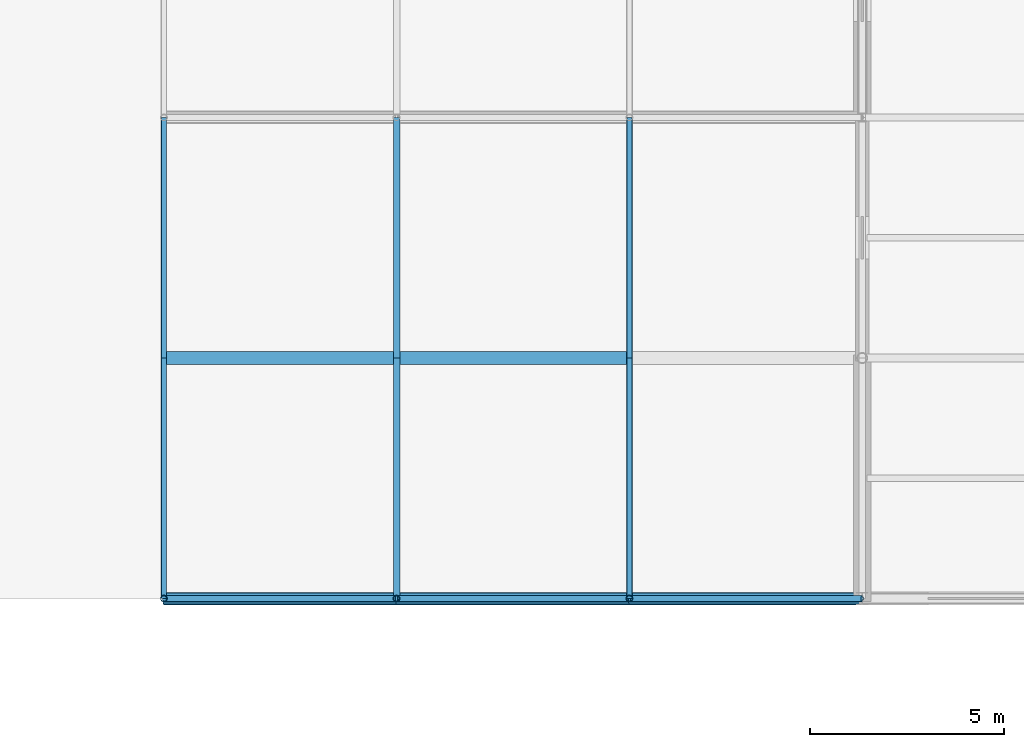
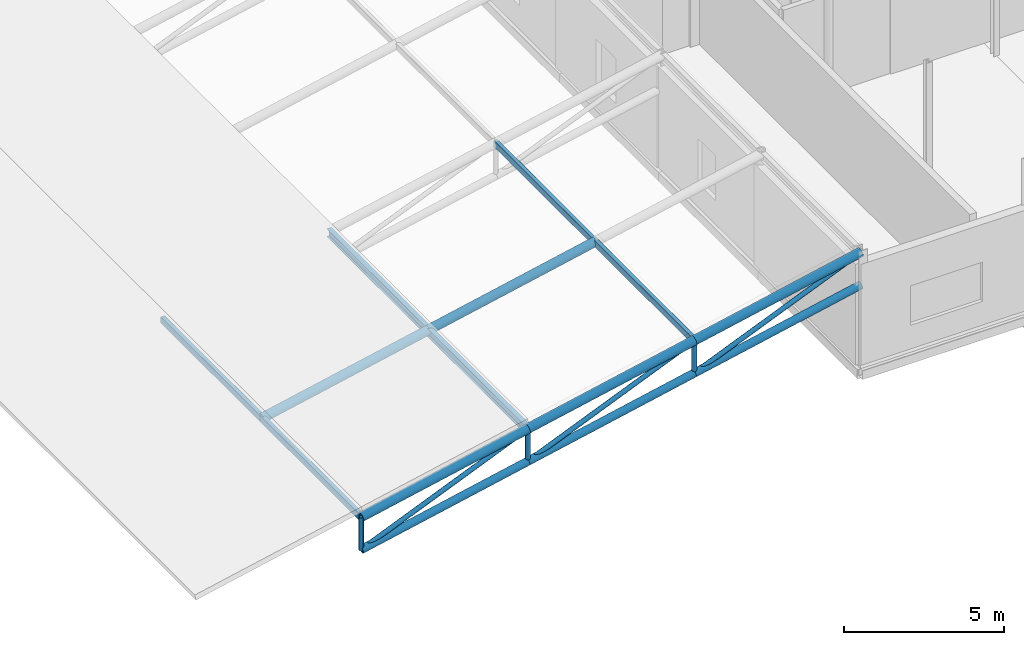
# One storey, part 17 of 66: 20 members.
"""IFC4 building model written with IfcOpenShell, lengths in metres."""

from ifc_helpers import new_model, si_unit, direction, frame, origin, origin_2d, place, context, subcontext, project, spatial, hollow_rectangle, hollow_circle, i_section, extrude, material, material_profile, profile_set, type_object, element, save


model = new_model("IFC4")

# Units and contexts
model_context = context("Model", 3, precision=1e-05, world=origin(), true_north=direction((0.0, 1.0)))
body_context = subcontext(model_context, "Body", "Model", "MODEL_VIEW")
ifc_project = project(units=[si_unit("LENGTHUNIT", "METRE"), si_unit("AREAUNIT", "SQUARE_METRE"), si_unit("VOLUMEUNIT", "CUBIC_METRE"), si_unit("PLANEANGLEUNIT", "RADIAN"), si_unit("MASSUNIT", "GRAM", prefix="KILO")], contexts=[model_context])

# Site, building, storey
site_placement = place(None, origin())
site = spatial("IfcSite", under=ifc_project, at=site_placement, CompositionType="ELEMENT")
building_placement = place(site_placement, origin())
building = spatial("IfcBuilding", under=site, at=building_placement, Name="Mirzam Square Science Centre", CompositionType="ELEMENT")
storey_placement = place(building_placement, frame((0.0, 0.0, 15.60009765625)))
storey = spatial("IfcBuildingStorey", under=building, at=storey_placement, Name="L03", CompositionType="ELEMENT", Elevation=15.60009765625)

# Members
ifc_material = material(Name="Steel S355", Category="steel")
ifc_material_profile_1 = material_profile(ifc_material, hollow_circle(Radius=0.084228515625, WallThickness=0.008056640625, at=origin_2d()), Name="168.3x8.0CHS")
ifc_profile_set_1 = profile_set([ifc_material_profile_1], Name="Steel S355")
member_type_1 = type_object("IfcMemberType", Name="BR-CHS168", PredefinedType="BRACE", material=ifc_profile_set_1)
member_1_placement = place(storey_placement, frame((18.0, 37.199951171875, -0.845703125), z_axis=(0.922529582988, 0.0, 0.385926377063), x_axis=(0.0, 1.0, 0.0)))
element("IfcMember", 1, at=member_1_placement, inside=storey, type_object=member_type_1, Name="Wedge truss web diagonal Y7 bay 4", PredefinedType="BRACE", context=body_context, shape_type="SweptSolid", body=[
    extrude(hollow_circle(Radius=0.084228515625, WallThickness=0.008056640625, at=origin_2d()), origin(), (0.0, 0.0, 1.0), 6.50390625),
])
member_2_placement = place(storey_placement, frame((18.0, 37.199951171875, -0.845703125), z_axis=(0.0, 0.0, 1.0), x_axis=(1.0, 0.0, 0.0)))
element("IfcMember", 2, at=member_2_placement, inside=storey, type_object=member_type_1, Name="Wedge truss post Y7 bay 4", PredefinedType="BRACE", context=body_context, shape_type="SweptSolid", body=[
    extrude(hollow_circle(Radius=0.084228515625, WallThickness=0.008056640625, at=origin_2d()), origin(), (0.0, 0.0, 1.0), 1.25),
])
member_3_placement = place(storey_placement, frame((24.0, 37.199951171875, 0.414306640625), z_axis=(0.922529582988, 0.0, 0.385926377063), x_axis=(0.0, 1.0, 0.0)))
element("IfcMember", 3, at=member_3_placement, inside=storey, type_object=member_type_1, Name="Wedge truss web diagonal Y7 bay 5", PredefinedType="BRACE", context=body_context, shape_type="SweptSolid", body=[
    extrude(hollow_circle(Radius=0.084228515625, WallThickness=0.008056640625, at=origin_2d()), origin(), (0.0, 0.0, 1.0), 6.50390625),
])
member_4_placement = place(storey_placement, frame((24.0, 37.199951171875, 0.414306640625), z_axis=(0.0, 0.0, 1.0), x_axis=(1.0, 0.0, 0.0)))
element("IfcMember", 4, at=member_4_placement, inside=storey, type_object=member_type_1, Name="Wedge truss post Y7 bay 5", PredefinedType="BRACE", context=body_context, shape_type="SweptSolid", body=[
    extrude(hollow_circle(Radius=0.084228515625, WallThickness=0.008056640625, at=origin_2d()), origin(), (0.0, 0.0, 1.0), 1.25),
])
member_5_placement = place(storey_placement, frame((30.0, 37.199951171875, 1.67431640625), z_axis=(0.922529582988, 0.0, 0.385926377063), x_axis=(0.0, 1.0, 0.0)))
element("IfcMember", 5, at=member_5_placement, inside=storey, type_object=member_type_1, Name="Wedge truss web diagonal Y7 bay 6", PredefinedType="BRACE", context=body_context, shape_type="SweptSolid", body=[
    extrude(hollow_circle(Radius=0.084228515625, WallThickness=0.008056640625, at=origin_2d()), origin(), (0.0, 0.0, 1.0), 6.50390625),
])
member_6_placement = place(storey_placement, frame((30.0, 37.199951171875, 1.67431640625), z_axis=(0.0, 0.0, 1.0), x_axis=(1.0, 0.0, 0.0)))
element("IfcMember", 6, at=member_6_placement, inside=storey, type_object=member_type_1, Name="Wedge truss post Y7 bay 6", PredefinedType="BRACE", context=body_context, shape_type="SweptSolid", body=[
    extrude(hollow_circle(Radius=0.084228515625, WallThickness=0.008056640625, at=origin_2d()), origin(), (0.0, 0.0, 1.0), 1.25),
])
ifc_material_profile_2 = material_profile(ifc_material, hollow_circle(Radius=0.136474609375, WallThickness=0.010009765625, at=origin_2d()), Name="273.0x10.0CHS")
ifc_profile_set_2 = profile_set([ifc_material_profile_2], Name="Steel S355")
member_type_2 = type_object("IfcMemberType", Name="CH-CHS273", PredefinedType="CHORD", material=ifc_profile_set_2)
for number, where, z_axis, x_axis, name in (
    (7, (18.0, 37.199951171875, -0.845703125), (0.978653176229, 0.0, 0.205518759868), (0.0, 1.0, 0.0), "Wedge truss bottom chord Y7 bay 4"),
    (8, (24.0, 37.199951171875, 0.414306640625), (0.978653176229, 0.0, 0.205518759868), (0.0, 1.0, 0.0), "Wedge truss bottom chord Y7 bay 5"),
    (9, (30.0, 37.199951171875, 1.67431640625), (0.978653176229, 0.0, 0.205518759868), (0.0, 1.0, 0.0), "Wedge truss bottom chord Y7 bay 6"),
):
    element("IfcMember", number, at=place(storey_placement, frame(where, z_axis=z_axis, x_axis=x_axis)), inside=storey, type_object=member_type_2, Name=name, PredefinedType="CHORD", context=body_context, shape_type="SweptSolid", body=[
        extrude(hollow_circle(Radius=0.136474609375, WallThickness=0.010009765625, at=origin_2d()), origin(), (0.0, 0.0, 1.0), 6.130859375),
    ])
ifc_material_profile_3 = material_profile(ifc_material, hollow_circle(Radius=0.161865234375, WallThickness=0.012451171875, at=origin_2d()), Name="323.9x12.5CHS")
ifc_profile_set_3 = profile_set([ifc_material_profile_3], Name="Steel S355")
member_type_3 = type_object("IfcMemberType", Name="CH-CHS324", PredefinedType="CHORD", material=ifc_profile_set_3)
for number, where, z_axis, x_axis, name in (
    (10, (18.0, 37.199951171875, 0.404296875), (0.978653176229, 0.0, 0.205518759868), (0.0, 1.0, 0.0), "Wedge truss top chord Y7 bay 4"),
    (11, (24.0, 37.199951171875, 1.664306640625), (0.978653176229, 0.0, 0.205518759868), (0.0, 1.0, 0.0), "Wedge truss top chord Y7 bay 5"),
    (12, (30.0, 37.199951171875, 2.92431640625), (0.978653176229, 0.0, 0.205518759868), (0.0, 1.0, 0.0), "Wedge truss top chord Y7 bay 6"),
    (13, (18.0, 43.39990234375, 0.404296875), (0.978653176229, 0.0, 0.205518759868), (0.0, 1.0, 0.0), "Wedge truss top chord Y8 bay 4"),
    (14, (24.0, 43.39990234375, 1.664306640625), (0.978653176229, 0.0, 0.205518759868), (0.0, 1.0, 0.0), "Wedge truss top chord Y8 bay 5"),
):
    element("IfcMember", number, at=place(storey_placement, frame(where, z_axis=z_axis, x_axis=x_axis)), inside=storey, type_object=member_type_3, Name=name, PredefinedType="CHORD", context=body_context, shape_type="SweptSolid", body=[
        extrude(hollow_circle(Radius=0.161865234375, WallThickness=0.012451171875, at=origin_2d()), origin(), (0.0, 0.0, 1.0), 6.130859375),
    ])
ifc_material_profile_4 = material_profile(ifc_material, hollow_rectangle(XDim=0.14990234375, YDim=0.25, WallThickness=0.010009765625, InnerFilletRadius=0.010009765625, OuterFilletRadius=0.02001953125, at=origin_2d()), Name="250x150x10.0RHS")
ifc_profile_set_4 = profile_set([ifc_material_profile_4], Name="Steel S355")
member_type_4 = type_object("IfcMemberType", Name="RF-RHS250", PredefinedType="RAFTER", material=ifc_profile_set_4)
for number, where, z_axis, x_axis, name in (
    (15, (18.0, 37.199951171875, 0.4072265625), (0.0, 1.0, 0.0), (-1.0, 0.0, 0.0), "Wedge roof rafter X4-7"),
    (16, (30.0, 37.199951171875, 2.92724609375), (0.0, 1.0, 0.0), (-1.0, 0.0, 0.0), "Wedge roof rafter X6-7"),
):
    element("IfcMember", number, at=place(storey_placement, frame(where, z_axis=z_axis, x_axis=x_axis)), inside=storey, type_object=member_type_4, Name=name, PredefinedType="RAFTER", context=body_context, shape_type="SweptSolid", body=[
        extrude(hollow_rectangle(XDim=0.14990234375, YDim=0.25, WallThickness=0.010009765625, InnerFilletRadius=0.010009765625, OuterFilletRadius=0.02001953125, at=origin_2d()), origin(), (0.0, 0.0, 1.0), 6.199951171875),
    ])
for number, where, z_axis, x_axis, name in (
    (17, (18.0, 43.39990234375, 0.4072265625), (0.0, 1.0, 0.0), (-1.0, 0.0, 0.0), "Wedge roof rafter X4-8"),
    (18, (30.0, 43.39990234375, 2.92724609375), (0.0, 1.0, 0.0), (-1.0, 0.0, 0.0), "Wedge roof rafter X6-8"),
):
    element("IfcMember", number, at=place(storey_placement, frame(where, z_axis=z_axis, x_axis=x_axis)), inside=storey, type_object=member_type_4, Name=name, PredefinedType="RAFTER", context=body_context, shape_type="SweptSolid", body=[
        extrude(hollow_rectangle(XDim=0.14990234375, YDim=0.25, WallThickness=0.010009765625, InnerFilletRadius=0.010009765625, OuterFilletRadius=0.02001953125, at=origin_2d()), origin(), (0.0, 0.0, 1.0), 6.2001953125),
    ])
ifc_material_profile_5 = material_profile(ifc_material, i_section(OverallWidth=0.165771484375, OverallDepth=0.306640625, WebThickness=0.006591796875, FlangeThickness=0.01171875, FilletRadius=0.0087890625, at=origin_2d()), Name="305x165x46UB")
ifc_profile_set_5 = profile_set([ifc_material_profile_5], Name="Steel S355")
member_type_5 = type_object("IfcMemberType", Name="RF-UB305", PredefinedType="RAFTER", material=ifc_profile_set_5)
member_7_placement = place(storey_placement, frame((24.0, 37.199951171875, 1.63818359375), z_axis=(0.0, 1.0, 0.0), x_axis=(-1.0, 0.0, 0.0)))
element("IfcMember", 19, at=member_7_placement, inside=storey, type_object=member_type_5, Name="Wedge roof rafter X5-7", PredefinedType="RAFTER", context=body_context, shape_type="SweptSolid", body=[
    extrude(i_section(OverallWidth=0.165771484375, OverallDepth=0.306640625, WebThickness=0.006591796875, FlangeThickness=0.01171875, FilletRadius=0.0087890625, at=origin_2d()), origin(), (0.0, 0.0, 1.0), 6.199951171875),
])
member_8_placement = place(storey_placement, frame((24.0, 43.39990234375, 1.63818359375), z_axis=(0.0, 1.0, 0.0), x_axis=(-1.0, 0.0, 0.0)))
element("IfcMember", 20, at=member_8_placement, inside=storey, type_object=member_type_5, Name="Wedge roof rafter X5-8", PredefinedType="RAFTER", context=body_context, shape_type="SweptSolid", body=[
    extrude(i_section(OverallWidth=0.165771484375, OverallDepth=0.306640625, WebThickness=0.006591796875, FlangeThickness=0.01171875, FilletRadius=0.0087890625, at=origin_2d()), origin(), (0.0, 0.0, 1.0), 6.2001953125),
])

save(model, "model.ifc")
